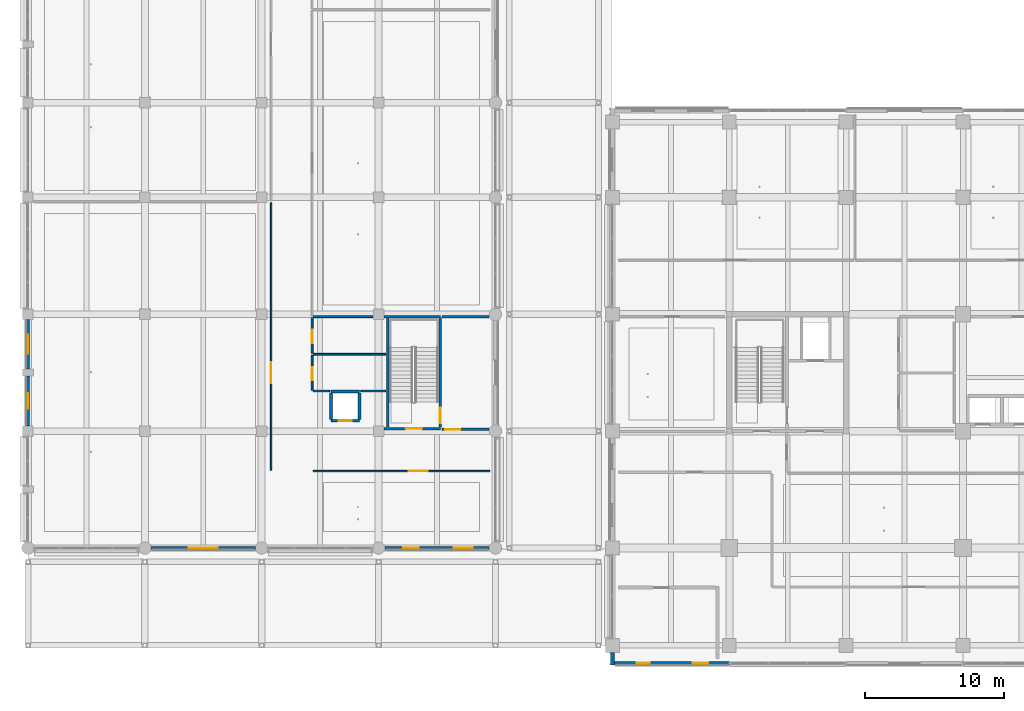
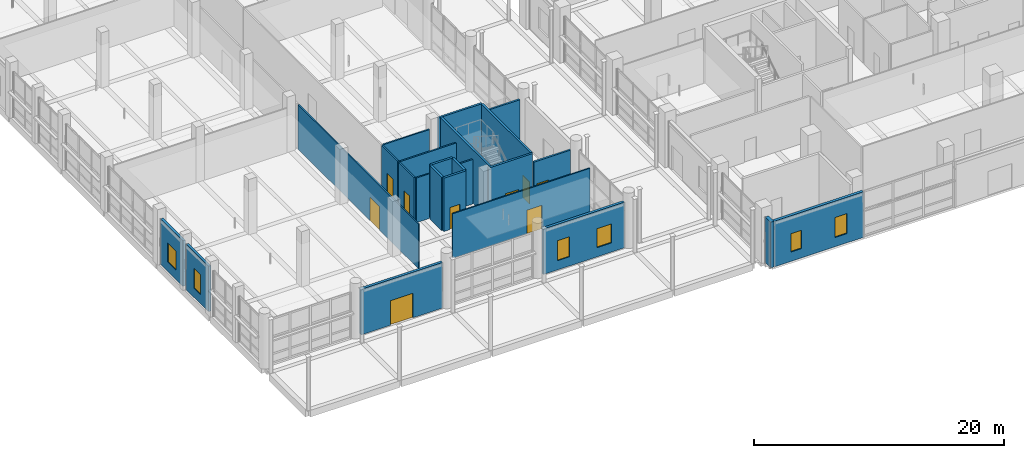
# One storey, part 57 of 140: 24 walls, 9 doors, 6 windows, 15 openings.
"""IFC4 building model written with IfcOpenShell, lengths in metres."""

from ifc_helpers import new_model, si_unit, direction, frame, frame_2d, origin, place, context, subcontext, project, spatial, rectangle, extrude, material, layer, layer_set, type_object, element, fill, save


model = new_model("IFC4")

# Units and contexts
model_context = context("Model", 3, precision=1e-05, world=origin(), true_north=direction((0.0, 1.0)))
body_context = subcontext(model_context, "Body", "Model", "MODEL_VIEW")
ifc_project = project(units=[si_unit("LENGTHUNIT", "METRE"), si_unit("AREAUNIT", "SQUARE_METRE"), si_unit("VOLUMEUNIT", "CUBIC_METRE"), si_unit("PLANEANGLEUNIT", "RADIAN"), si_unit("MASSUNIT", "GRAM", prefix="KILO")], contexts=[model_context])

# Site, building, storey
site_placement = place(None, origin())
site = spatial("IfcSite", under=ifc_project, at=site_placement, CompositionType="ELEMENT")
building_placement = place(site_placement, origin())
building = spatial("IfcBuilding", under=site, at=building_placement, Name="Telukmera Botanical Conservatory", CompositionType="ELEMENT")
storey_placement = place(building_placement, origin())
storey = spatial("IfcBuildingStorey", under=building, at=storey_placement, Name="L00", CompositionType="ELEMENT", Elevation=0.0)

# Wall, opening, door
ifc_material_1 = material(Name="Precast concrete C40/50", Category="concrete")
ifc_layer_1 = layer(ifc_material_1, 0.239990234375)
ifc_layer_set_1 = layer_set([ifc_layer_1], Name="Precast concrete C40/50")
wall_type_1 = type_object("IfcWallType", Name="Exterior Colonnade Recessed Precast Wall 240", PredefinedType="SOLIDWALL", material=ifc_layer_set_1)
wall_1_placement = place(storey_placement, frame((17.251953125, 17.60009765625, 0.0), z_axis=(0.0, 0.0, 1.0), x_axis=(1.0, 0.0, 0.0)))
wall_1 = element("IfcWall", 1, at=wall_1_placement, inside=storey, type_object=wall_type_1, Name="Exterior Precast Wall EW05 V3:L00:S2", PredefinedType="SOLIDWALL", context=body_context, shape_type="SweptSolid", body=[
    extrude(rectangle(XDim=7.49609375, YDim=0.239990234375, at=frame_2d((3.748046875, 0.0))), origin(), (0.0, 0.0, 1.0), 4.449951171875),
])
opening_1_placement = place(wall_1_placement, frame((2.697998046875, 0.0, 0.0)))
opening_1 = element("IfcOpeningElement", 2, at=opening_1_placement, cuts=wall_1, Name="Opening D003", PredefinedType="OPENING", context=body_context, shape_type="SweptSolid", body=[
    extrude(rectangle(XDim=2.10009765625, YDim=2.39990234375, at=frame_2d((1.050048828125, 1.199951171875))), frame((0.0, 0.1298828125, 0.0), z_axis=(0.0, -1.0, 0.0), x_axis=(1.0, 0.0, 0.0)), (0.0, 0.0, 1.0), 0.260009765625),
])
ifc_material_2 = material(Name="Thermally broken anodised aluminium glazed door assembly", Category="aluminium")
door_type_1 = type_object("IfcDoorType", Name="Visitor Centre Forecourt Canopy Entrance Door 2100x2400", OperationType="NOTDEFINED", PredefinedType="DOOR", material=ifc_material_2)
door_1_placement = place(opening_1_placement, frame((2.10009765625, 0.0, 0.0), z_axis=(0.0, 0.0, 1.0), x_axis=(-1.0, 0.0, 0.0)))
door_1 = element("IfcDoor", 3, at=door_1_placement, inside=storey, type_object=door_type_1, Name="Exterior Door D003", OperationType="DOUBLE_DOOR_SINGLE_SWING", OverallHeight=2.39990234375, OverallWidth=2.10009765625, PredefinedType="DOOR", context=body_context, shape_type="SweptSolid", body=[
    extrude(rectangle(XDim=2.10009765625, YDim=2.39990234375, at=frame_2d((1.050048828125, 1.199951171875))), frame((0.0, 0.02490234375, 0.0), z_axis=(0.0, -1.0, 0.0), x_axis=(1.0, 0.0, 0.0)), (0.0, 0.0, 1.0), 0.050048828125),
])
fill(opening_1, door_1)

# Wall, openings, windows
wall_2_placement = place(storey_placement, frame((34.052001953125, 17.60009765625, 0.0), z_axis=(0.0, 0.0, 1.0), x_axis=(1.0, 0.0, 0.0)))
wall_2 = element("IfcWall", 4, at=wall_2_placement, inside=storey, type_object=wall_type_1, Name="Exterior Precast Wall EW05 V3:L00:S4", PredefinedType="SOLIDWALL", context=body_context, shape_type="SweptSolid", body=[
    extrude(rectangle(XDim=7.49609375, YDim=0.239990234375, at=frame_2d((3.748046875, 0.0))), origin(), (0.0, 0.0, 1.0), 4.449951171875),
])
opening_2_placement = place(wall_2_placement, frame((1.323974609375, 0.0, 0.89990234375)))
opening_2 = element("IfcOpeningElement", 5, at=opening_2_placement, cuts=wall_2, Name="Opening W02", PredefinedType="OPENING", context=body_context, shape_type="SweptSolid", body=[
    extrude(rectangle(XDim=1.10009765625, YDim=1.949951171875, at=frame_2d((0.550048828125, 0.97509765625))), frame((0.0, 0.1298828125, 0.0), z_axis=(0.0, -1.0, 0.0), x_axis=(1.0, 0.0, 0.0)), (0.0, 0.0, 1.0), 0.260009765625),
])
opening_3_placement = place(wall_2_placement, frame((4.947021484375, 0.0, 0.89990234375)))
opening_3 = element("IfcOpeningElement", 6, at=opening_3_placement, cuts=wall_2, Name="Opening W05", PredefinedType="OPENING", context=body_context, shape_type="SweptSolid", body=[
    extrude(rectangle(XDim=1.35009765625, YDim=1.85009765625, at=frame_2d((0.675048828125, 0.925048828125))), frame((0.0, 0.1298828125, 0.0), z_axis=(0.0, -1.0, 0.0), x_axis=(1.0, 0.0, 0.0)), (0.0, 0.0, 1.0), 0.260009765625),
])
ifc_material_3 = material(Name="Thermally broken anodised aluminium frame with low-E double glazing", Category="aluminium")
window_type_1 = type_object("IfcWindowType", Name="Double Vertical Casement Classroom Window 1350x1850", PartitioningType="DOUBLE_PANEL_VERTICAL", PredefinedType="WINDOW", material=ifc_material_3)
window_1_placement = place(opening_3_placement, origin())
window_1 = element("IfcWindow", 7, at=window_1_placement, inside=storey, type_object=window_type_1, Name="Facade Window W05 V3:L00:S4 2", OverallHeight=1.85009765625, OverallWidth=1.35009765625, PartitioningType="DOUBLE_PANEL_VERTICAL", PredefinedType="WINDOW", context=body_context, shape_type="SweptSolid", body=[
    extrude(rectangle(XDim=1.35009765625, YDim=1.85009765625, at=frame_2d((0.675048828125, 0.925048828125))), frame((0.0, 0.030029296875, 0.0), z_axis=(0.0, -1.0, 0.0), x_axis=(1.0, 0.0, 0.0)), (0.0, 0.0, 1.0), 0.06005859375),
])
fill(opening_3, window_1)
window_type_2 = type_object("IfcWindowType", Name="Single Fixed Exhibition Pier Window 1100x1950", PartitioningType="SINGLE_PANEL", PredefinedType="WINDOW", material=ifc_material_3)
window_2_placement = place(opening_2_placement, origin())
window_2 = element("IfcWindow", 8, at=window_2_placement, inside=storey, type_object=window_type_2, Name="Facade Window W02 V3:L00:S4 1", OverallHeight=1.949951171875, OverallWidth=1.10009765625, PartitioningType="SINGLE_PANEL", PredefinedType="WINDOW", context=body_context, shape_type="SweptSolid", body=[
    extrude(rectangle(XDim=1.10009765625, YDim=1.949951171875, at=frame_2d((0.550048828125, 0.97509765625))), frame((0.0, 0.030029296875, 0.0), z_axis=(0.0, -1.0, 0.0), x_axis=(1.0, 0.0, 0.0)), (0.0, 0.0, 1.0), 0.06005859375),
])
fill(opening_2, window_2)

ifc_material_4 = material(Name="Granite-faced precast concrete C40/50", Category="masonry")
ifc_layer_2 = layer(ifc_material_4, 0.260009765625)
ifc_layer_set_2 = layer_set([ifc_layer_2], Name="Granite-faced precast concrete C40/50")
wall_type_2 = type_object("IfcWallType", Name="Exterior Granite Precast Plinth Wall 260", PredefinedType="SOLIDWALL", material=ifc_layer_set_2)
wall_3_placement = place(storey_placement, frame((50.552001953125, 9.320068359375, 0.0), z_axis=(0.0, 0.0, 1.0), x_axis=(1.0, 0.0, 0.0)))
wall_3 = element("IfcWall", 9, at=wall_3_placement, inside=storey, type_object=wall_type_2, Name="Exterior Precast Wall EW01 V4:L00:S1", PredefinedType="SOLIDWALL", context=body_context, shape_type="SweptSolid", body=[
    extrude(rectangle(XDim=8.24609375, YDim=0.260009765625, at=frame_2d((4.123046875, 0.0))), origin(), (0.0, 0.0, 1.0), 4.449951171875),
])
opening_4_placement = place(wall_3_placement, frame((1.58642578125, 0.0, 0.89990234375)))
opening_4 = element("IfcOpeningElement", 10, at=opening_4_placement, cuts=wall_3, Name="Opening W01", PredefinedType="OPENING", context=body_context, shape_type="SweptSolid", body=[
    extrude(rectangle(XDim=0.949951171875, YDim=1.800048828125, at=frame_2d((0.47509765625, 0.89990234375))), frame((0.0, 0.139892578125, 0.0), z_axis=(0.0, -1.0, 0.0), x_axis=(1.0, 0.0, 0.0)), (0.0, 0.0, 1.0), 0.280029296875),
])
opening_5_placement = place(wall_3_placement, frame((5.634521484375, 0.0, 0.89990234375)))
opening_5 = element("IfcOpeningElement", 11, at=opening_5_placement, cuts=wall_3, Name="Opening W02", PredefinedType="OPENING", context=body_context, shape_type="SweptSolid", body=[
    extrude(rectangle(XDim=1.10009765625, YDim=1.949951171875, at=frame_2d((0.550048828125, 0.97509765625))), frame((0.0, 0.139892578125, 0.0), z_axis=(0.0, -1.0, 0.0), x_axis=(1.0, 0.0, 0.0)), (0.0, 0.0, 1.0), 0.280029296875),
])
window_type_3 = type_object("IfcWindowType", Name="Single Casement Botanical Office Window 950x1800", PartitioningType="SINGLE_PANEL", PredefinedType="WINDOW", material=ifc_material_3)
window_3_placement = place(opening_4_placement, origin())
window_3 = element("IfcWindow", 12, at=window_3_placement, inside=storey, type_object=window_type_3, Name="Facade Window W01 V4:L00:S1 1", OverallHeight=1.800048828125, OverallWidth=0.949951171875, PartitioningType="SINGLE_PANEL", PredefinedType="WINDOW", context=body_context, shape_type="SweptSolid", body=[
    extrude(rectangle(XDim=0.949951171875, YDim=1.800048828125, at=frame_2d((0.47509765625, 0.89990234375))), frame((0.0, 0.030029296875, 0.0), z_axis=(0.0, -1.0, 0.0), x_axis=(1.0, 0.0, 0.0)), (0.0, 0.0, 1.0), 0.06005859375),
])
fill(opening_4, window_3)
window_4_placement = place(opening_5_placement, origin())
window_4 = element("IfcWindow", 13, at=window_4_placement, inside=storey, type_object=window_type_2, Name="Facade Window W02 V4:L00:S1 2", OverallHeight=1.949951171875, OverallWidth=1.10009765625, PartitioningType="SINGLE_PANEL", PredefinedType="WINDOW", context=body_context, shape_type="SweptSolid", body=[
    extrude(rectangle(XDim=1.10009765625, YDim=1.949951171875, at=frame_2d((0.550048828125, 0.97509765625))), frame((0.0, 0.030029296875, 0.0), z_axis=(0.0, -1.0, 0.0), x_axis=(1.0, 0.0, 0.0)), (0.0, 0.0, 1.0), 0.06005859375),
])
fill(opening_5, window_4)

# Wall
ifc_material_5 = material(Name="Terracotta-faced precast concrete C40/50", Category="masonry")
ifc_layer_3 = layer(ifc_material_5, 0.300048828125)
ifc_layer_set_3 = layer_set([ifc_layer_3], Name="Terracotta-faced precast concrete C40/50")
wall_type_3 = type_object("IfcWallType", Name="Exterior Polychrome Terracotta Precast Wall 300", PredefinedType="SOLIDWALL", material=ifc_layer_set_3)
wall_4_placement = place(storey_placement, frame((50.39990234375, 9.199951171875, 0.0), z_axis=(0.0, 0.0, 1.0), x_axis=(0.0, 1.0, 0.0)))
element("IfcWall", 14, at=wall_4_placement, inside=storey, type_object=wall_type_3, Name="Exterior Precast Wall EW02 V4:L00:SWC", PredefinedType="SOLIDWALL", context=body_context, shape_type="SweptSolid", body=[
    extrude(rectangle(XDim=0.89794921875, YDim=0.300048828125, at=frame_2d((0.448974609375, 0.0))), origin(), (0.0, 0.0, 1.0), 4.449951171875),
])

# Wall, opening, window
ifc_layer_4 = layer(ifc_material_5, 0.219970703125)
ifc_layer_set_4 = layer_set([ifc_layer_4], Name="Terracotta-faced precast concrete C40/50")
wall_type_4 = type_object("IfcWallType", Name="Exterior Terracotta Rainscreen Cladding Wall 220", PredefinedType="USERDEFINED", material=ifc_layer_set_4)
wall_5_placement = place(storey_placement, frame((8.39990234375, 26.376953125, 0.0), z_axis=(0.0, 0.0, 1.0), x_axis=(0.0, 1.0, 0.0)))
wall_5 = element("IfcWall", 15, at=wall_5_placement, inside=storey, type_object=wall_type_4, Name="Exterior Precast Wall EW07 V3:L00:W2A", ObjectType="CLADDING", PredefinedType="USERDEFINED", context=body_context, shape_type="SweptSolid", body=[
    extrude(rectangle(XDim=3.571044921875, YDim=0.219970703125, at=frame_2d((1.78564453125, 0.0))), origin(), (0.0, 0.0, 1.0), 4.449951171875),
])
opening_6_placement = place(wall_5_placement, frame((1.235595703125, 0.0, 0.89990234375)))
opening_6 = element("IfcOpeningElement", 16, at=opening_6_placement, cuts=wall_5, Name="Opening W02", PredefinedType="OPENING", context=body_context, shape_type="SweptSolid", body=[
    extrude(rectangle(XDim=1.10009765625, YDim=1.949951171875, at=frame_2d((0.550048828125, 0.97509765625))), frame((0.0, 0.119873046875, 0.0), z_axis=(0.0, -1.0, 0.0), x_axis=(1.0, 0.0, 0.0)), (0.0, 0.0, 1.0), 0.239990234375),
])
window_5_placement = place(opening_6_placement, origin())
window_5 = element("IfcWindow", 17, at=window_5_placement, inside=storey, type_object=window_type_2, Name="Facade Window W02 V3:L00:W2A", OverallHeight=1.949951171875, OverallWidth=1.10009765625, PartitioningType="SINGLE_PANEL", PredefinedType="WINDOW", context=body_context, shape_type="SweptSolid", body=[
    extrude(rectangle(XDim=1.10009765625, YDim=1.949951171875, at=frame_2d((0.550048828125, 0.97509765625))), frame((0.0, 0.030029296875, 0.0), z_axis=(0.0, -1.0, 0.0), x_axis=(1.0, 0.0, 0.0)), (0.0, 0.0, 1.0), 0.06005859375),
])
fill(opening_6, window_5)

wall_6_placement = place(storey_placement, frame((8.39990234375, 30.451904296875, 0.0), z_axis=(0.0, 0.0, 1.0), x_axis=(0.0, 1.0, 0.0)))
wall_6 = element("IfcWall", 18, at=wall_6_placement, inside=storey, type_object=wall_type_4, Name="Exterior Precast Wall EW07 V3:L00:W2B", ObjectType="CLADDING", PredefinedType="USERDEFINED", context=body_context, shape_type="SweptSolid", body=[
    extrude(rectangle(XDim=3.571044921875, YDim=0.219970703125, at=frame_2d((1.78564453125, 0.0))), origin(), (0.0, 0.0, 1.0), 4.449951171875),
])
opening_7_placement = place(wall_6_placement, frame((1.110595703125, 0.0, 0.89990234375)))
opening_7 = element("IfcOpeningElement", 19, at=opening_7_placement, cuts=wall_6, Name="Opening W05", PredefinedType="OPENING", context=body_context, shape_type="SweptSolid", body=[
    extrude(rectangle(XDim=1.35009765625, YDim=1.85009765625, at=frame_2d((0.675048828125, 0.925048828125))), frame((0.0, 0.119873046875, 0.0), z_axis=(0.0, -1.0, 0.0), x_axis=(1.0, 0.0, 0.0)), (0.0, 0.0, 1.0), 0.239990234375),
])
window_6_placement = place(opening_7_placement, origin())
window_6 = element("IfcWindow", 20, at=window_6_placement, inside=storey, type_object=window_type_1, Name="Facade Window W05 V3:L00:W2B", OverallHeight=1.85009765625, OverallWidth=1.35009765625, PartitioningType="DOUBLE_PANEL_VERTICAL", PredefinedType="WINDOW", context=body_context, shape_type="SweptSolid", body=[
    extrude(rectangle(XDim=1.35009765625, YDim=1.85009765625, at=frame_2d((0.675048828125, 0.925048828125))), frame((0.0, 0.030029296875, 0.0), z_axis=(0.0, -1.0, 0.0), x_axis=(1.0, 0.0, 0.0)), (0.0, 0.0, 1.0), 0.06005859375),
])
fill(opening_7, window_6)

# Wall, opening, door
ifc_material_6 = material(Name="Concrete C40/50", Category="concrete")
ifc_layer_5 = layer(ifc_material_6, 0.199951171875)
ifc_layer_set_5 = layer_set([ifc_layer_5], Name="Concrete C40/50")
wall_type_5 = type_object("IfcWallType", Name="WT-CORE-200", PredefinedType="SOLIDWALL", material=ifc_layer_set_5)
wall_7_placement = place(storey_placement, frame((30.179931640625, 26.75, 0.0), z_axis=(0.0, 0.0, 1.0), x_axis=(1.0, 0.0, 0.0)))
wall_7 = element("IfcWall", 21, at=wall_7_placement, inside=storey, type_object=wall_type_5, Name="L00 Lift VL1 Front Wall", PredefinedType="SOLIDWALL", context=body_context, shape_type="SweptSolid", body=[
    extrude(rectangle(XDim=2.0400390625, YDim=0.199951171875, at=frame_2d((1.02001953125, 0.0))), origin(), (0.0, 0.0, 1.0), 5.199951171875),
])
opening_8_placement = place(wall_7_placement, frame((0.544921875, 0.0, 0.0)))
opening_8 = element("IfcOpeningElement", 22, at=opening_8_placement, cuts=wall_7, Name="Opening LD04", PredefinedType="OPENING", context=body_context, shape_type="SweptSolid", body=[
    extrude(rectangle(XDim=0.949951171875, YDim=2.14990234375, at=frame_2d((0.47509765625, 1.074951171875))), frame((0.0, 0.10986328125, 0.0), z_axis=(0.0, -1.0, 0.0), x_axis=(1.0, 0.0, 0.0)), (0.0, 0.0, 1.0), 0.219970703125),
])
ifc_material_7 = material(Name="Anodised aluminium and glass", Category="aluminium")
door_type_2 = type_object("IfcDoorType", Name="DT-LD04", OperationType="SLIDING_TO_LEFT", PredefinedType="DOOR", material=ifc_material_7)
door_2_placement = place(opening_8_placement, frame((0.949951171875, 0.0, 0.0), z_axis=(0.0, 0.0, 1.0), x_axis=(-1.0, 0.0, 0.0)))
door_2 = element("IfcDoor", 23, at=door_2_placement, inside=storey, type_object=door_type_2, Name="L00 Lift Landing Door VL1", OperationType="SLIDING_TO_LEFT", OverallHeight=2.14990234375, OverallWidth=0.949951171875, PredefinedType="DOOR", context=body_context, shape_type="SweptSolid", body=[
    extrude(rectangle(XDim=0.949951171875, YDim=2.14990234375, at=frame_2d((0.47509765625, 1.074951171875))), frame((0.0, 0.02490234375, 0.0), z_axis=(0.0, -1.0, 0.0), x_axis=(1.0, 0.0, 0.0)), (0.0, 0.0, 1.0), 0.050048828125),
])
fill(opening_8, door_2)

# Walls
wall_8_placement = place(storey_placement, frame((30.179931640625, 28.85009765625, 0.0), z_axis=(0.0, 0.0, 1.0), x_axis=(1.0, 0.0, 0.0)))
element("IfcWall", 24, at=wall_8_placement, inside=storey, type_object=wall_type_5, Name="L00 Lift VL1 Rear Wall", PredefinedType="SOLIDWALL", context=body_context, shape_type="SweptSolid", body=[
    extrude(rectangle(XDim=2.0400390625, YDim=0.199951171875, at=frame_2d((1.02001953125, 0.0))), origin(), (0.0, 0.0, 1.0), 5.199951171875),
])
for number, where, z_axis, x_axis, name in (
    (25, (30.179931640625, 26.85009765625, 0.0), (0.0, 0.0, 1.0), (0.0, 1.0, 0.0), "L00 Lift VL1 W Wall"),
    (26, (32.219970703125, 26.85009765625, 0.0), (0.0, 0.0, 1.0), (0.0, 1.0, 0.0), "L00 Lift VL1 E Wall"),
):
    element("IfcWall", number, at=place(storey_placement, frame(where, z_axis=z_axis, x_axis=x_axis)), inside=storey, type_object=wall_type_5, Name=name, PredefinedType="SOLIDWALL", context=body_context, shape_type="SweptSolid", body=[
        extrude(rectangle(XDim=1.89990234375, YDim=0.199951171875, at=frame_2d((0.949951171875, 0.0))), origin(), (0.0, 0.0, 1.0), 5.199951171875),
    ])

# Wall, opening, door
ifc_material_8 = material(Name="Aluminium framed acoustic glass", Category="aluminium")
ifc_layer_6 = layer(ifc_material_8, 0.1201171875)
ifc_layer_set_6 = layer_set([ifc_layer_6], Name="Aluminium framed acoustic glass")
wall_type_6 = type_object("IfcWallType", Name="WT-GLAZ-120", PredefinedType="PARTITIONING", material=ifc_layer_set_6)
wall_9_placement = place(storey_placement, frame((28.89990234375, 23.125, 0.0), z_axis=(0.0, 0.0, 1.0), x_axis=(1.0, 0.0, 0.0)))
wall_9 = element("IfcWall", 27, at=wall_9_placement, inside=storey, type_object=wall_type_6, Name="L00 Interior Partition 02", PredefinedType="PARTITIONING", context=body_context, shape_type="SweptSolid", body=[
    extrude(rectangle(XDim=12.7001953125, YDim=0.1201171875, at=frame_2d((6.35009765625, 0.0))), origin(), (0.0, 0.0, 1.0), 4.35009765625),
])
opening_9_placement = place(wall_9_placement, frame((6.87451171875, 0.0, 0.0)))
opening_9 = element("IfcOpeningElement", 28, at=opening_9_placement, cuts=wall_9, Name="Opening ID06", PredefinedType="OPENING", context=body_context, shape_type="SweptSolid", body=[
    extrude(rectangle(XDim=1.360107421875, YDim=2.300048828125, at=frame_2d((0.68017578125, 1.14990234375))), frame((0.0, 0.070068359375, 0.0), z_axis=(0.0, -1.0, 0.0), x_axis=(1.0, 0.0, 0.0)), (0.0, 0.0, 1.0), 0.14013671875),
])
ifc_material_9 = material(Name="Anodised aluminium glazed door", Category="aluminium")
door_type_3 = type_object("IfcDoorType", Name="DT-CAFE-136", OperationType="NOTDEFINED", PredefinedType="DOOR", material=ifc_material_9)
door_3_placement = place(opening_9_placement, frame((1.360107421875, 0.0, 0.0), z_axis=(0.0, 0.0, 1.0), x_axis=(-1.0, 0.0, 0.0)))
door_3 = element("IfcDoor", 29, at=door_3_placement, inside=storey, type_object=door_type_3, Name="L00 Botanical Shop Door", OperationType="SINGLE_SWING_LEFT", OverallHeight=2.300048828125, OverallWidth=1.360107421875, PredefinedType="DOOR", context=body_context, shape_type="SweptSolid", body=[
    extrude(rectangle(XDim=1.360107421875, YDim=2.300048828125, at=frame_2d((0.68017578125, 1.14990234375))), frame((0.0, 0.02490234375, 0.0), z_axis=(0.0, -1.0, 0.0), x_axis=(1.0, 0.0, 0.0)), (0.0, 0.0, 1.0), 0.050048828125),
])
fill(opening_9, door_3)

wall_10_placement = place(storey_placement, frame((25.875, 23.199951171875, 0.0), z_axis=(0.0, 0.0, 1.0), x_axis=(0.0, 1.0, 0.0)))
wall_10 = element("IfcWall", 30, at=wall_10_placement, inside=storey, type_object=wall_type_6, Name="L00 Interior Partition 08", PredefinedType="PARTITIONING", context=body_context, shape_type="SweptSolid", body=[
    extrude(rectangle(XDim=19.199951171875, YDim=0.1201171875, at=frame_2d((9.60009765625, 0.0))), origin(), (0.0, 0.0, 1.0), 4.35009765625),
])
opening_10_placement = place(wall_10_placement, frame((6.232666015625, 0.0, 0.0)))
opening_10 = element("IfcOpeningElement", 31, at=opening_10_placement, cuts=wall_10, Name="Opening ID04", PredefinedType="OPENING", context=body_context, shape_type="SweptSolid", body=[
    extrude(rectangle(XDim=1.5, YDim=2.300048828125, at=frame_2d((0.75, 1.14990234375))), frame((0.0, 0.070068359375, 0.0), z_axis=(0.0, -1.0, 0.0), x_axis=(1.0, 0.0, 0.0)), (0.0, 0.0, 1.0), 0.14013671875),
])
ifc_material_10 = material(Name="Teak framed acoustic glazed door")
door_type_4 = type_object("IfcDoorType", Name="DT-LIB-150", OperationType="NOTDEFINED", PredefinedType="DOOR", material=ifc_material_10)
door_4_placement = place(opening_10_placement, origin())
door_4 = element("IfcDoor", 32, at=door_4_placement, inside=storey, type_object=door_type_4, Name="L00 Visitor Centre Entrance Hall Door", OperationType="SINGLE_SWING_RIGHT", OverallHeight=2.300048828125, OverallWidth=1.5, PredefinedType="DOOR", context=body_context, shape_type="SweptSolid", body=[
    extrude(rectangle(XDim=1.5, YDim=2.300048828125, at=frame_2d((0.75, 1.14990234375))), frame((0.0, 0.02490234375, 0.0), z_axis=(0.0, -1.0, 0.0), x_axis=(1.0, 0.0, 0.0)), (0.0, 0.0, 1.0), 0.050048828125),
])
fill(opening_10, door_4)

ifc_material_11 = material(Name="Blockwork masonry", Category="masonry")
ifc_layer_7 = layer(ifc_material_11, 0.169921875)
ifc_layer_set_7 = layer_set([ifc_layer_7], Name="Blockwork masonry")
wall_type_7 = type_object("IfcWallType", Name="WT-PLANT-170", PredefinedType="PARTITIONING", material=ifc_layer_set_7)
wall_11_placement = place(storey_placement, frame((38.14990234375, 26.125, 0.0), z_axis=(0.0, 0.0, 1.0), x_axis=(1.0, 0.0, 0.0)))
wall_11 = element("IfcWall", 33, at=wall_11_placement, inside=storey, type_object=wall_type_7, Name="L00 Interior Partition 01", PredefinedType="PARTITIONING", context=body_context, shape_type="SweptSolid", body=[
    extrude(rectangle(XDim=3.3701171875, YDim=0.169921875, at=frame_2d((1.68505859375, 0.0))), origin(), (0.0, 0.0, 1.0), 4.35009765625),
])
opening_11_placement = place(wall_11_placement, frame((0.25, 0.0, 0.0)))
opening_11 = element("IfcOpeningElement", 34, at=opening_11_placement, cuts=wall_11, Name="Opening FD60E", PredefinedType="OPENING", context=body_context, shape_type="SweptSolid", body=[
    extrude(rectangle(XDim=1.080078125, YDim=2.14990234375, at=frame_2d((0.5400390625, 1.074951171875))), frame((0.0, 0.094970703125, 0.0), z_axis=(0.0, -1.0, 0.0), x_axis=(1.0, 0.0, 0.0)), (0.0, 0.0, 1.0), 0.18994140625),
])
ifc_material_12 = material(Name="Hardwood fire door", Category="wood")
door_type_5 = type_object("IfcDoorType", Name="DT-FD60-05", OperationType="NOTDEFINED", PredefinedType="DOOR", material=ifc_material_12)
door_5_placement = place(opening_11_placement, origin())
door_5 = element("IfcDoor", 35, at=door_5_placement, inside=storey, type_object=door_type_5, Name="L00 ST3 Exit Vestibule Corridor Fire Door", OperationType="SINGLE_SWING_RIGHT", OverallHeight=2.14990234375, OverallWidth=1.080078125, PredefinedType="DOOR", context=body_context, shape_type="SweptSolid", body=[
    extrude(rectangle(XDim=1.080078125, YDim=2.14990234375, at=frame_2d((0.5400390625, 1.074951171875))), frame((0.0, 0.02490234375, 0.0), z_axis=(0.0, -1.0, 0.0), x_axis=(1.0, 0.0, 0.0)), (0.0, 0.0, 1.0), 0.050048828125),
])
fill(opening_11, door_5)

# Wall
wall_12_placement = place(storey_placement, frame((38.14990234375, 34.22509765625, 0.0), z_axis=(0.0, 0.0, 1.0), x_axis=(1.0, 0.0, 0.0)))
element("IfcWall", 36, at=wall_12_placement, inside=storey, type_object=wall_type_7, Name="L00 Interior Partition 07", PredefinedType="PARTITIONING", context=body_context, shape_type="SweptSolid", body=[
    extrude(rectangle(XDim=3.3701171875, YDim=0.169921875, at=frame_2d((1.68505859375, 0.0))), origin(), (0.0, 0.0, 1.0), 4.35009765625),
])

# Wall, opening, door
ifc_layer_8 = layer(ifc_material_6, 0.18994140625)
ifc_layer_set_8 = layer_set([ifc_layer_8], Name="Concrete C40/50")
wall_type_8 = type_object("IfcWallType", Name="WT-STAIR-190", PredefinedType="SOLIDWALL", material=ifc_layer_set_8)
wall_13_placement = place(storey_placement, frame((33.97509765625, 26.179931640625, 0.0), z_axis=(0.0, 0.0, 1.0), x_axis=(1.0, 0.0, 0.0)))
wall_13 = element("IfcWall", 37, at=wall_13_placement, inside=storey, type_object=wall_type_8, Name="L00 Stair ST3 South Wall", PredefinedType="SOLIDWALL", context=body_context, shape_type="SweptSolid", body=[
    extrude(rectangle(XDim=4.054931640625, YDim=0.18994140625, at=frame_2d((2.02734375, 0.0))), origin(), (0.0, 0.0, 1.0), 5.199951171875),
])
opening_12_placement = place(wall_13_placement, frame((1.574951171875, 0.0, 0.0)))
opening_12 = element("IfcOpeningElement", 38, at=opening_12_placement, cuts=wall_13, Name="Opening FD60D", PredefinedType="OPENING", context=body_context, shape_type="SweptSolid", body=[
    extrude(rectangle(XDim=1.179931640625, YDim=2.14990234375, at=frame_2d((0.58984375, 1.074951171875))), frame((0.0, 0.10498046875, 0.0), z_axis=(0.0, -1.0, 0.0), x_axis=(1.0, 0.0, 0.0)), (0.0, 0.0, 1.0), 0.2099609375),
])
door_type_6 = type_object("IfcDoorType", Name="DT-FD60-04", OperationType="NOTDEFINED", PredefinedType="DOOR", material=ifc_material_12)
door_6_placement = place(opening_12_placement, frame((1.179931640625, 0.0, 0.0), z_axis=(0.0, 0.0, 1.0), x_axis=(-1.0, 0.0, 0.0)))
door_6 = element("IfcDoor", 39, at=door_6_placement, inside=storey, type_object=door_type_6, Name="L00 Stair ST3 Escape Door", OperationType="SINGLE_SWING_LEFT", OverallHeight=2.14990234375, OverallWidth=1.179931640625, PredefinedType="DOOR", context=body_context, shape_type="SweptSolid", body=[
    extrude(rectangle(XDim=1.179931640625, YDim=2.14990234375, at=frame_2d((0.58984375, 1.074951171875))), frame((0.0, 0.02490234375, 0.0), z_axis=(0.0, -1.0, 0.0), x_axis=(1.0, 0.0, 0.0)), (0.0, 0.0, 1.0), 0.050048828125),
])
fill(opening_12, door_6)

# Walls
wall_14_placement = place(storey_placement, frame((33.97509765625, 34.219970703125, 0.0), z_axis=(0.0, 0.0, 1.0), x_axis=(1.0, 0.0, 0.0)))
element("IfcWall", 40, at=wall_14_placement, inside=storey, type_object=wall_type_8, Name="L00 Stair ST3 North Wall", PredefinedType="SOLIDWALL", context=body_context, shape_type="SweptSolid", body=[
    extrude(rectangle(XDim=4.054931640625, YDim=0.18994140625, at=frame_2d((2.02734375, 0.0))), origin(), (0.0, 0.0, 1.0), 5.199951171875),
])
wall_15_placement = place(storey_placement, frame((34.25, 26.280029296875, 0.0), z_axis=(0.0, 0.0, 1.0), x_axis=(0.0, 1.0, 0.0)))
element("IfcWall", 41, at=wall_15_placement, inside=storey, type_object=wall_type_8, Name="L00 Stair ST3 W Wall", PredefinedType="SOLIDWALL", context=body_context, shape_type="SweptSolid", body=[
    extrude(rectangle(XDim=7.840087890625, YDim=0.18994140625, at=frame_2d((3.919921875, 0.0))), origin(), (0.0, 0.0, 1.0), 5.199951171875),
])

# Wall, opening, door
wall_16_placement = place(storey_placement, frame((38.030029296875, 26.280029296875, 0.0), z_axis=(0.0, 0.0, 1.0), x_axis=(0.0, 1.0, 0.0)))
wall_16 = element("IfcWall", 42, at=wall_16_placement, inside=storey, type_object=wall_type_8, Name="L00 Stair ST3 E Wall", PredefinedType="SOLIDWALL", context=body_context, shape_type="SweptSolid", body=[
    extrude(rectangle(XDim=7.840087890625, YDim=0.18994140625, at=frame_2d((3.919921875, 0.0))), origin(), (0.0, 0.0, 1.0), 5.199951171875),
])
opening_13_placement = place(wall_16_placement, frame((0.27001953125, 0.0, 0.0)))
opening_13 = element("IfcOpeningElement", 43, at=opening_13_placement, cuts=wall_16, Name="Opening FD60B", PredefinedType="OPENING", context=body_context, shape_type="SweptSolid", body=[
    extrude(rectangle(XDim=1.1201171875, YDim=2.14990234375, at=frame_2d((0.56005859375, 1.074951171875))), frame((0.0, 0.10498046875, 0.0), z_axis=(0.0, -1.0, 0.0), x_axis=(1.0, 0.0, 0.0)), (0.0, 0.0, 1.0), 0.2099609375),
])
door_type_7 = type_object("IfcDoorType", Name="DT-FD60-02", OperationType="NOTDEFINED", PredefinedType="DOOR", material=ifc_material_12)
door_7_placement = place(opening_13_placement, frame((1.1201171875, 0.0, 0.0), z_axis=(0.0, 0.0, 1.0), x_axis=(-1.0, 0.0, 0.0)))
door_7 = element("IfcDoor", 44, at=door_7_placement, inside=storey, type_object=door_type_7, Name="L00 Stair ST3 Exit Discharge Door", OperationType="SINGLE_SWING_RIGHT", OverallHeight=2.14990234375, OverallWidth=1.1201171875, PredefinedType="DOOR", context=body_context, shape_type="SweptSolid", body=[
    extrude(rectangle(XDim=1.1201171875, YDim=2.14990234375, at=frame_2d((0.56005859375, 1.074951171875))), frame((0.0, 0.02490234375, 0.0), z_axis=(0.0, -1.0, 0.0), x_axis=(1.0, 0.0, 0.0)), (0.0, 0.0, 1.0), 0.050048828125),
])
fill(opening_13, door_7)

# Wall
ifc_material_13 = material(Name="Moisture-resistant blockwork", Category="masonry")
ifc_layer_9 = layer(ifc_material_13, 0.135009765625)
ifc_layer_set_9 = layer_set([ifc_layer_9], Name="Moisture-resistant blockwork")
wall_type_9 = type_object("IfcWallType", Name="WT-WC-135", PredefinedType="PARTITIONING", material=ifc_layer_set_9)
wall_17_placement = place(storey_placement, frame((28.89990234375, 31.52490234375, 0.0), z_axis=(0.0, 0.0, 1.0), x_axis=(1.0, 0.0, 0.0)))
element("IfcWall", 45, at=wall_17_placement, inside=storey, type_object=wall_type_9, Name="L00 Interior Partition 03", PredefinedType="PARTITIONING", context=body_context, shape_type="SweptSolid", body=[
    extrude(rectangle(XDim=5.2001953125, YDim=0.135009765625, at=frame_2d((2.60009765625, 0.0))), origin(), (0.0, 0.0, 1.0), 4.35009765625),
])

# Wall, opening, door
wall_18_placement = place(storey_placement, frame((28.824951171875, 28.949951171875, 0.0), z_axis=(0.0, 0.0, 1.0), x_axis=(0.0, 1.0, 0.0)))
wall_18 = element("IfcWall", 46, at=wall_18_placement, inside=storey, type_object=wall_type_9, Name="L00 Interior Partition 04", PredefinedType="PARTITIONING", context=body_context, shape_type="SweptSolid", body=[
    extrude(rectangle(XDim=2.5, YDim=0.135009765625, at=frame_2d((1.25, 0.0))), origin(), (0.0, 0.0, 1.0), 4.35009765625),
])
opening_14_placement = place(wall_18_placement, frame((0.712890625, 0.0, 0.0)))
opening_14 = element("IfcOpeningElement", 47, at=opening_14_placement, cuts=wall_18, Name="Opening ID17", PredefinedType="OPENING", context=body_context, shape_type="SweptSolid", body=[
    extrude(rectangle(XDim=0.919921875, YDim=2.1201171875, at=frame_2d((0.4599609375, 1.06005859375))), frame((0.0, 0.077392578125, 0.0), z_axis=(0.0, -1.0, 0.0), x_axis=(1.0, 0.0, 0.0)), (0.0, 0.0, 1.0), 0.155029296875),
])
ifc_material_14 = material(Name="Moisture-resistant laminate WC door")
door_type_8 = type_object("IfcDoorType", Name="DT-WC-092", OperationType="NOTDEFINED", PredefinedType="DOOR", material=ifc_material_14)
door_8_placement = place(opening_14_placement, origin())
door_8 = element("IfcDoor", 48, at=door_8_placement, inside=storey, type_object=door_type_8, Name="L00 Public WC Door", OperationType="SINGLE_SWING_RIGHT", OverallHeight=2.1201171875, OverallWidth=0.919921875, PredefinedType="DOOR", context=body_context, shape_type="SweptSolid", body=[
    extrude(rectangle(XDim=0.919921875, YDim=2.1201171875, at=frame_2d((0.4599609375, 1.06005859375))), frame((0.0, 0.02490234375, 0.0), z_axis=(0.0, -1.0, 0.0), x_axis=(1.0, 0.0, 0.0)), (0.0, 0.0, 1.0), 0.050048828125),
])
fill(opening_14, door_8)

wall_19_placement = place(storey_placement, frame((28.824951171875, 31.60009765625, 0.0), z_axis=(0.0, 0.0, 1.0), x_axis=(0.0, 1.0, 0.0)))
wall_19 = element("IfcWall", 49, at=wall_19_placement, inside=storey, type_object=wall_type_9, Name="L00 Interior Partition 05", PredefinedType="PARTITIONING", context=body_context, shape_type="SweptSolid", body=[
    extrude(rectangle(XDim=2.5498046875, YDim=0.135009765625, at=frame_2d((1.27490234375, 0.0))), origin(), (0.0, 0.0, 1.0), 4.35009765625),
])
opening_15_placement = place(wall_19_placement, frame((0.70849609375, 0.0, 0.0)))
opening_15 = element("IfcOpeningElement", 50, at=opening_15_placement, cuts=wall_19, Name="Opening ID15", PredefinedType="OPENING", context=body_context, shape_type="SweptSolid", body=[
    extrude(rectangle(XDim=0.97998046875, YDim=2.14990234375, at=frame_2d((0.489990234375, 1.074951171875))), frame((0.0, 0.077392578125, 0.0), z_axis=(0.0, -1.0, 0.0), x_axis=(1.0, 0.0, 0.0)), (0.0, 0.0, 1.0), 0.155029296875),
])
ifc_material_15 = material(Name="Accessible sanitary laminate door")
door_type_9 = type_object("IfcDoorType", Name="DT-OKU-098", OperationType="NOTDEFINED", PredefinedType="DOOR", material=ifc_material_15)
door_9_placement = place(opening_15_placement, origin())
door_9 = element("IfcDoor", 51, at=door_9_placement, inside=storey, type_object=door_type_9, Name="L00 Accessible WC Door", OperationType="SINGLE_SWING_LEFT", OverallHeight=2.14990234375, OverallWidth=0.97998046875, PredefinedType="DOOR", context=body_context, shape_type="SweptSolid", body=[
    extrude(rectangle(XDim=0.97998046875, YDim=2.14990234375, at=frame_2d((0.489990234375, 1.074951171875))), frame((0.0, 0.02490234375, 0.0), z_axis=(0.0, -1.0, 0.0), x_axis=(1.0, 0.0, 0.0)), (0.0, 0.0, 1.0), 0.050048828125),
])
fill(opening_15, door_9)

# Walls
wall_20_placement = place(storey_placement, frame((28.89990234375, 34.22509765625, 0.0), z_axis=(0.0, 0.0, 1.0), x_axis=(1.0, 0.0, 0.0)))
element("IfcWall", 52, at=wall_20_placement, inside=storey, type_object=wall_type_9, Name="L00 Interior Partition 06", PredefinedType="PARTITIONING", context=body_context, shape_type="SweptSolid", body=[
    extrude(rectangle(XDim=4.295166015625, YDim=0.135009765625, at=frame_2d((2.1474609375, 0.0))), origin(), (0.0, 0.0, 1.0), 4.35009765625),
])
wall_21_placement = place(storey_placement, frame((28.902587890625, 28.882568359375, 0.0), z_axis=(0.0, 0.0, 1.0), x_axis=(1.0, 0.0, 0.0)))
element("IfcWall", 53, at=wall_21_placement, inside=storey, type_object=wall_type_9, Name="L00 WC Enclosure Partition 01", PredefinedType="PARTITIONING", context=body_context, shape_type="SweptSolid", body=[
    extrude(rectangle(XDim=1.177490234375, YDim=0.135009765625, at=frame_2d((0.5888671875, 0.0))), origin(), (0.0, 0.0, 1.0), 4.35009765625),
])
wall_22_placement = place(storey_placement, frame((32.320068359375, 28.882568359375, 0.0), z_axis=(0.0, 0.0, 1.0), x_axis=(1.0, 0.0, 0.0)))
element("IfcWall", 54, at=wall_22_placement, inside=storey, type_object=wall_type_9, Name="L00 WC Enclosure Partition 02", PredefinedType="PARTITIONING", context=body_context, shape_type="SweptSolid", body=[
    extrude(rectangle(XDim=1.780029296875, YDim=0.135009765625, at=frame_2d((0.89013671875, 0.0))), origin(), (0.0, 0.0, 1.0), 4.35009765625),
])

save(model, "model.ifc")
